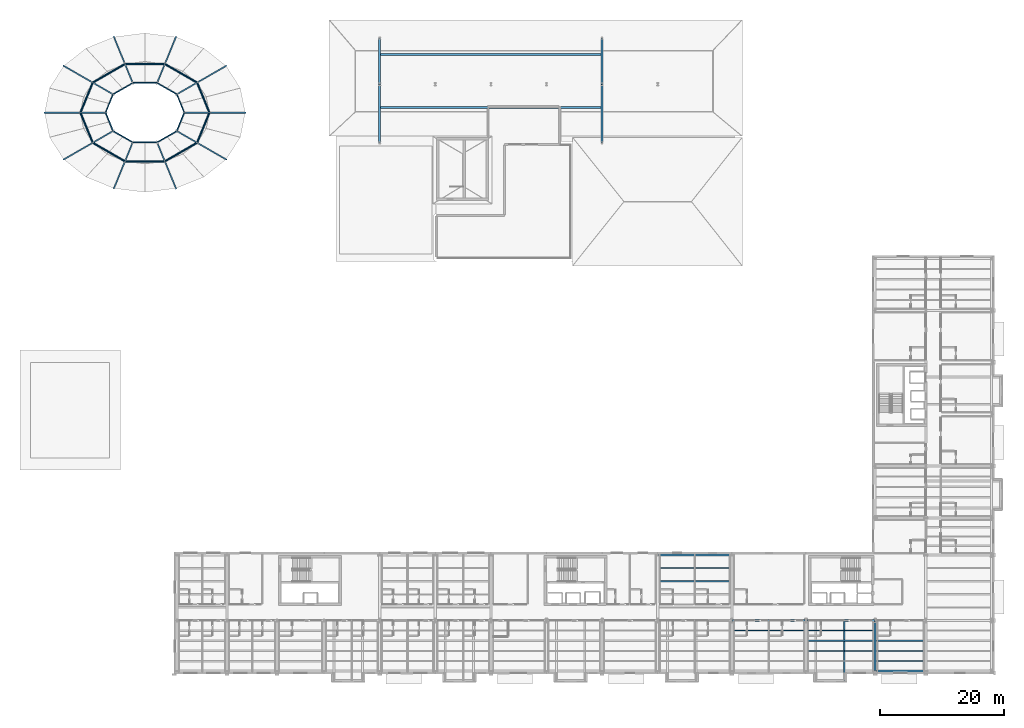
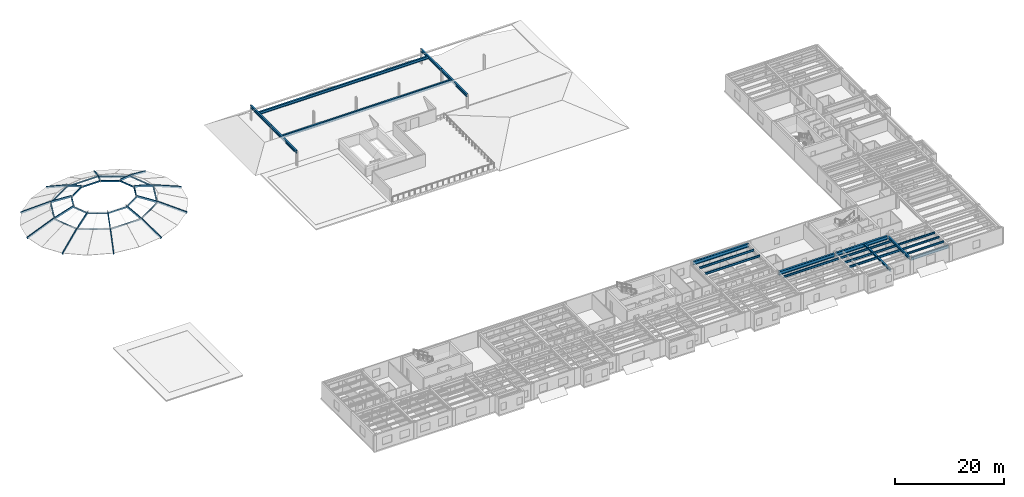
# One storey, part 8 of 34: 40 members, 21 beams.
"""IFC4 building model written with IfcOpenShell, lengths in metres."""

from ifc_helpers import new_model, si_unit, direction, frame, origin, origin_2d, place, context, subcontext, project, spatial, hollow_rectangle, hollow_circle, i_section, extrude, material, material_profile, profile_set, type_object, element, save


model = new_model("IFC4")

# Units and contexts
model_context = context("Model", 3, precision=1e-05, world=origin(), true_north=direction((0.0, 1.0)))
body_context = subcontext(model_context, "Body", "Model", "MODEL_VIEW")
ifc_project = project(units=[si_unit("LENGTHUNIT", "METRE"), si_unit("AREAUNIT", "SQUARE_METRE"), si_unit("VOLUMEUNIT", "CUBIC_METRE"), si_unit("PLANEANGLEUNIT", "RADIAN"), si_unit("MASSUNIT", "GRAM", prefix="KILO")], contexts=[model_context])

# Site, building, storey
site_placement = place(None, origin())
site = spatial("IfcSite", under=ifc_project, at=site_placement, CompositionType="ELEMENT")
building_placement = place(site_placement, origin())
building = spatial("IfcBuilding", under=site, at=building_placement, Name="Sollismere Congress Hotel", CompositionType="ELEMENT")
storey_placement = place(building_placement, frame((0.0, 0.0, 23.39990234375)))
storey = spatial("IfcBuildingStorey", under=building, at=storey_placement, Name="L05", CompositionType="ELEMENT", Elevation=23.39990234375)

# Beams
ifc_material_1 = material(Name="Steel ASTM A992 Grade 50", Category="steel")
ifc_material_profile_1 = material_profile(ifc_material_1, i_section(OverallWidth=0.281982421875, OverallDepth=0.471923828125, WebThickness=0.013671875, FlangeThickness=0.022216796875, at=origin_2d()), Name="W18X97")
ifc_profile_set_1 = profile_set([ifc_material_profile_1], Name="Steel ASTM A992 Grade 50")
beam_type_1 = type_object("IfcBeamType", Name="BM-CK18E", PredefinedType="BEAM", material=ifc_profile_set_1)
beam_1_placement = place(storey_placement, frame((142.199951171875, 8.199951171875, 3.089111328125), z_axis=(0.0, -1.0, 0.0), x_axis=(1.0, 0.0, 0.0)))
element("IfcBeam", 1, at=beam_1_placement, inside=storey, type_object=beam_type_1, Name="Beam BM-L05-3962", PredefinedType="BEAM", context=body_context, shape_type="SweptSolid", body=[
    extrude(i_section(OverallWidth=0.281982421875, OverallDepth=0.471923828125, WebThickness=0.013671875, FlangeThickness=0.022216796875, at=origin_2d()), origin(), (0.0, 0.0, 1.0), 9.68994140625),
])
ifc_material_profile_2 = material_profile(ifc_material_1, i_section(OverallWidth=0.31494140625, OverallDepth=0.551025390625, WebThickness=0.01513671875, FlangeThickness=0.0244140625, at=origin_2d()), Name="W21X122")
ifc_profile_set_2 = profile_set([ifc_material_profile_2], Name="Steel ASTM A992 Grade 50")
beam_type_2 = type_object("IfcBeamType", Name="BM-G21H", PredefinedType="BEAM", material=ifc_profile_set_2)
beam_2_placement = place(storey_placement, frame((147.199951171875, 0.139892578125, 3.049560546875), z_axis=(0.0, 1.0, 0.0), x_axis=(-1.0, 0.0, 0.0)))
element("IfcBeam", 2, at=beam_2_placement, inside=storey, type_object=beam_type_2, Name="Beam BM-L05-2993", PredefinedType="BEAM", context=body_context, shape_type="SweptSolid", body=[
    extrude(i_section(OverallWidth=0.31494140625, OverallDepth=0.551025390625, WebThickness=0.01513671875, FlangeThickness=0.0244140625, at=origin_2d()), origin(), (0.0, 0.0, 1.0), 7.920166015625),
])
ifc_material_profile_3 = material_profile(ifc_material_1, i_section(OverallWidth=0.330078125, OverallDepth=0.635009765625, WebThickness=0.017822265625, FlangeThickness=0.031005859375, at=origin_2d()), Name="W24X162")
ifc_profile_set_3 = profile_set([ifc_material_profile_3], Name="Steel ASTM A992 Grade 50")
beam_type_3 = type_object("IfcBeamType", Name="BM-G24H", PredefinedType="BEAM", material=ifc_profile_set_3)
beam_3_placement = place(storey_placement, frame((67.0, 85.60009765625, 3.08251953125), z_axis=(0.0, 1.0, 0.0), x_axis=(-1.0, 0.0, 0.0)))
element("IfcBeam", 3, at=beam_3_placement, inside=storey, type_object=beam_type_3, Name="Beam BM-L05-3869", PredefinedType="BEAM", context=body_context, shape_type="SweptSolid", body=[
    extrude(i_section(OverallWidth=0.330078125, OverallDepth=0.635009765625, WebThickness=0.017822265625, FlangeThickness=0.031005859375, at=origin_2d()), origin(), (0.0, 0.0, 1.0), 9.39990234375),
])
beam_4_placement = place(storey_placement, frame((67.0, 95.0, 3.08251953125), z_axis=(0.0, 1.0, 0.0), x_axis=(-1.0, 0.0, 0.0)))
element("IfcBeam", 4, at=beam_4_placement, inside=storey, type_object=beam_type_3, Name="Beam BM-L05-3870", PredefinedType="BEAM", context=body_context, shape_type="SweptSolid", body=[
    extrude(i_section(OverallWidth=0.330078125, OverallDepth=0.635009765625, WebThickness=0.017822265625, FlangeThickness=0.031005859375, at=origin_2d()), origin(), (0.0, 0.0, 1.0), 7.39990234375),
])
beam_5_placement = place(storey_placement, frame((103.0, 85.60009765625, 3.08251953125), z_axis=(0.0, 1.0, 0.0), x_axis=(-1.0, 0.0, 0.0)))
element("IfcBeam", 5, at=beam_5_placement, inside=storey, type_object=beam_type_3, Name="Beam BM-L05-3871", PredefinedType="BEAM", context=body_context, shape_type="SweptSolid", body=[
    extrude(i_section(OverallWidth=0.330078125, OverallDepth=0.635009765625, WebThickness=0.017822265625, FlangeThickness=0.031005859375, at=origin_2d()), origin(), (0.0, 0.0, 1.0), 9.39990234375),
])
beam_6_placement = place(storey_placement, frame((103.0, 95.0, 3.08251953125), z_axis=(0.0, 1.0, 0.0), x_axis=(-1.0, 0.0, 0.0)))
element("IfcBeam", 6, at=beam_6_placement, inside=storey, type_object=beam_type_3, Name="Beam BM-L05-3872", PredefinedType="BEAM", context=body_context, shape_type="SweptSolid", body=[
    extrude(i_section(OverallWidth=0.330078125, OverallDepth=0.635009765625, WebThickness=0.017822265625, FlangeThickness=0.031005859375, at=origin_2d()), origin(), (0.0, 0.0, 1.0), 7.39990234375),
])
for number, where, z_axis, x_axis, name in (
    (7, (67.0, 91.199951171875, 3.08251953125), (1.0, 0.0, 0.0), (0.0, 1.0, 0.0), "Beam BM-L05-3873"),
    (8, (67.0, 99.800048828125, 3.08251953125), (1.0, 0.0, 0.0), (0.0, 1.0, 0.0), "Beam BM-L05-3874"),
):
    element("IfcBeam", number, at=place(storey_placement, frame(where, z_axis=z_axis, x_axis=x_axis)), inside=storey, type_object=beam_type_3, Name=name, PredefinedType="BEAM", context=body_context, shape_type="SweptSolid", body=[
        extrude(i_section(OverallWidth=0.330078125, OverallDepth=0.635009765625, WebThickness=0.017822265625, FlangeThickness=0.031005859375, at=origin_2d()), origin(), (0.0, 0.0, 1.0), 36.0),
    ])
ifc_material_profile_4 = material_profile(ifc_material_1, i_section(OverallWidth=0.384033203125, OverallDepth=0.787109375, WebThickness=0.019775390625, FlangeThickness=0.033447265625, at=origin_2d()), Name="W30X211")
ifc_profile_set_4 = profile_set([ifc_material_profile_4], Name="Steel ASTM A992 Grade 50")
beam_type_4 = type_object("IfcBeamType", Name="BM-G30", PredefinedType="BEAM", material=ifc_profile_set_4)
beam_7_placement = place(storey_placement, frame((124.139892578125, 8.199951171875, 2.931640625), z_axis=(1.0, 0.0, 0.0), x_axis=(0.0, 1.0, 0.0)))
element("IfcBeam", 9, at=beam_7_placement, inside=storey, type_object=beam_type_4, Name="Beam BM-L05-2957", PredefinedType="BEAM", context=body_context, shape_type="SweptSolid", body=[
    extrude(i_section(OverallWidth=0.384033203125, OverallDepth=0.787109375, WebThickness=0.019775390625, FlangeThickness=0.033447265625, at=origin_2d()), origin(), (0.0, 0.0, 1.0), 11.72021484375),
])
beam_8_placement = place(storey_placement, frame((136.139892578125, 8.199951171875, 2.931640625), z_axis=(1.0, 0.0, 0.0), x_axis=(0.0, 1.0, 0.0)))
element("IfcBeam", 10, at=beam_8_placement, inside=storey, type_object=beam_type_4, Name="Beam BM-L05-2958", PredefinedType="BEAM", context=body_context, shape_type="SweptSolid", body=[
    extrude(i_section(OverallWidth=0.384033203125, OverallDepth=0.787109375, WebThickness=0.019775390625, FlangeThickness=0.033447265625, at=origin_2d()), origin(), (0.0, 0.0, 1.0), 10.920166015625),
])
beam_9_placement = place(storey_placement, frame((112.139892578125, 18.800048828125, 2.931640625), z_axis=(1.0, 0.0, 0.0), x_axis=(0.0, 1.0, 0.0)))
element("IfcBeam", 11, at=beam_9_placement, inside=storey, type_object=beam_type_4, Name="Beam BM-L05-2964", PredefinedType="BEAM", context=body_context, shape_type="SweptSolid", body=[
    extrude(i_section(OverallWidth=0.384033203125, OverallDepth=0.787109375, WebThickness=0.019775390625, FlangeThickness=0.033447265625, at=origin_2d()), origin(), (0.0, 0.0, 1.0), 11.72021484375),
])
ifc_material_profile_5 = material_profile(ifc_material_1, i_section(OverallWidth=0.180908203125, OverallDepth=0.4169921875, WebThickness=0.010986328125, FlangeThickness=0.018310546875, at=origin_2d()), Name="W16X57")
ifc_profile_set_5 = profile_set([ifc_material_profile_5], Name="Steel ASTM A992 Grade 50")
beam_type_5 = type_object("IfcBeamType", Name="BM-J16", PredefinedType="JOIST", material=ifc_profile_set_5)
for number, where, z_axis, x_axis, name in (
    (12, (147.357421875, 1.639892578125, 3.11669921875), (1.0, 0.0, 0.0), (0.0, 1.0, 0.0), "Beam BM-L05-3073"),
    (13, (147.357421875, 3.280029296875, 3.11669921875), (1.0, 0.0, 0.0), (0.0, 1.0, 0.0), "Beam BM-L05-3074"),
    (14, (147.357421875, 4.919921875, 3.11669921875), (1.0, 0.0, 0.0), (0.0, 1.0, 0.0), "Beam BM-L05-3075"),
):
    element("IfcBeam", number, at=place(storey_placement, frame(where, z_axis=z_axis, x_axis=x_axis)), inside=storey, type_object=beam_type_5, Name=name, PredefinedType="JOIST", context=body_context, shape_type="SweptSolid", body=[
        extrude(i_section(OverallWidth=0.180908203125, OverallDepth=0.4169921875, WebThickness=0.010986328125, FlangeThickness=0.018310546875, at=origin_2d()), origin(), (0.0, 0.0, 1.0), 7.885009765625),
    ])
ifc_material_profile_6 = material_profile(ifc_material_1, i_section(OverallWidth=0.193115234375, OverallDepth=0.467041015625, WebThickness=0.011474609375, FlangeThickness=0.01904296875, at=origin_2d()), Name="W18X65")
ifc_profile_set_6 = profile_set([ifc_material_profile_6], Name="Steel ASTM A992 Grade 50")
beam_type_6 = type_object("IfcBeamType", Name="BM-J18", PredefinedType="JOIST", material=ifc_profile_set_6)
for number, where, z_axis, x_axis, name in (
    (15, (112.177978515625, 14.56005859375, 3.091552734375), (1.0, 0.0, 0.0), (0.0, 1.0, 0.0), "Beam BM-L05-3063"),
    (16, (112.177978515625, 16.679931640625, 3.091552734375), (1.0, 0.0, 0.0), (0.0, 1.0, 0.0), "Beam BM-L05-3064"),
):
    element("IfcBeam", number, at=place(storey_placement, frame(where, z_axis=z_axis, x_axis=x_axis)), inside=storey, type_object=beam_type_6, Name=name, PredefinedType="JOIST", context=body_context, shape_type="SweptSolid", body=[
        extrude(i_section(OverallWidth=0.193115234375, OverallDepth=0.467041015625, WebThickness=0.011474609375, FlangeThickness=0.01904296875, at=origin_2d()), origin(), (0.0, 0.0, 1.0), 11.64404296875),
    ])
beam_10_placement = place(storey_placement, frame((124.157470703125, 6.56005859375, 3.091552734375), z_axis=(1.0, 0.0, 0.0), x_axis=(0.0, 1.0, 0.0)))
element("IfcBeam", 17, at=beam_10_placement, inside=storey, type_object=beam_type_6, Name="Beam BM-L05-3068", PredefinedType="JOIST", context=body_context, shape_type="SweptSolid", body=[
    extrude(i_section(OverallWidth=0.193115234375, OverallDepth=0.467041015625, WebThickness=0.011474609375, FlangeThickness=0.01904296875, at=origin_2d()), origin(), (0.0, 0.0, 1.0), 11.68505859375),
])
for number, where, z_axis, x_axis, name in (
    (18, (136.157470703125, 3.280029296875, 3.091552734375), (1.0, 0.0, 0.0), (0.0, 1.0, 0.0), "Beam BM-L05-3070"),
    (19, (136.157470703125, 4.919921875, 3.091552734375), (1.0, 0.0, 0.0), (0.0, 1.0, 0.0), "Beam BM-L05-3071"),
    (20, (136.157470703125, 6.56005859375, 3.091552734375), (1.0, 0.0, 0.0), (0.0, 1.0, 0.0), "Beam BM-L05-3072"),
):
    element("IfcBeam", number, at=place(storey_placement, frame(where, z_axis=z_axis, x_axis=x_axis)), inside=storey, type_object=beam_type_6, Name=name, PredefinedType="JOIST", context=body_context, shape_type="SweptSolid", body=[
        extrude(i_section(OverallWidth=0.193115234375, OverallDepth=0.467041015625, WebThickness=0.011474609375, FlangeThickness=0.01904296875, at=origin_2d()), origin(), (0.0, 0.0, 1.0), 10.885009765625),
    ])
ifc_material_profile_7 = material_profile(ifc_material_1, i_section(OverallWidth=0.330078125, OverallDepth=0.635009765625, WebThickness=0.017822265625, FlangeThickness=0.031005859375, at=origin_2d()), Name="W24X162")
ifc_profile_set_7 = profile_set([ifc_material_profile_7], Name="Steel ASTM A992 Grade 50")
beam_type_7 = type_object("IfcBeamType", Name="BM-SP24E", PredefinedType="SPANDREL", material=ifc_profile_set_7)
beam_11_placement = place(storey_placement, frame((147.340087890625, 0.0, 3.007568359375), z_axis=(1.0, 0.0, 0.0), x_axis=(0.0, 1.0, 0.0)))
element("IfcBeam", 21, at=beam_11_placement, inside=storey, type_object=beam_type_7, Name="Beam BM-L05-2945", PredefinedType="SPANDREL", context=body_context, shape_type="SweptSolid", body=[
    extrude(i_section(OverallWidth=0.330078125, OverallDepth=0.635009765625, WebThickness=0.017822265625, FlangeThickness=0.031005859375, at=origin_2d()), origin(), (0.0, 0.0, 1.0), 7.919921875),
])

# Members
ifc_material_2 = material(Name="Steel ASTM A500 Grade C", Category="steel")
ifc_material_profile_8 = material_profile(ifc_material_2, hollow_rectangle(XDim=0.199951171875, YDim=0.39990234375, WallThickness=0.011962890625, at=origin_2d()), Name="HSS400X200X12")
ifc_profile_set_8 = profile_set([ifc_material_profile_8], Name="Steel ASTM A500 Grade C")
member_type_1 = type_object("IfcMemberType", Name="MB-AR400", PredefinedType="COLLAR", material=ifc_profile_set_8)
member_1_placement = place(storey_placement, frame((45.2861328125, 90.39990234375, -0.09912109375), z_axis=(-0.924015433156, 0.0, 0.382355174267), x_axis=(0.0, -1.0, 0.0)))
element("IfcMember", 22, at=member_1_placement, inside=storey, type_object=member_type_1, Name="DR-013 arch rib", PredefinedType="COLLAR", context=body_context, shape_type="SweptSolid", body=[
    extrude(hollow_rectangle(XDim=0.199951171875, YDim=0.39990234375, WallThickness=0.011962890625, at=origin_2d()), origin(), (0.0, 0.0, 1.0), 6.376953125),
])
member_2_placement = place(storey_placement, frame((39.48779296875, 90.39990234375, 2.30517578125), z_axis=(-0.953744276341, 0.0, 0.300619120062), x_axis=(0.0, -1.0, 0.0)))
element("IfcMember", 23, at=member_2_placement, inside=storey, type_object=member_type_1, Name="DR-014 arch rib", PredefinedType="COLLAR", context=body_context, shape_type="SweptSolid", body=[
    extrude(hollow_rectangle(XDim=0.199951171875, YDim=0.39990234375, WallThickness=0.011962890625, at=origin_2d()), origin(), (0.0, 0.0, 1.0), 4.357177734375),
])
member_3_placement = place(storey_placement, frame((42.177978515625, 97.993408203125, -0.10009765625), z_axis=(-0.79214458142, -0.456463992834, 0.405151311701), x_axis=(0.499277188666, -0.866442317109, 0.0)))
element("IfcMember", 24, at=member_3_placement, inside=storey, type_object=member_type_1, Name="DR-023 arch rib", PredefinedType="COLLAR", context=body_context, shape_type="SweptSolid", body=[
    extrude(hollow_rectangle(XDim=0.199951171875, YDim=0.39990234375, WallThickness=0.011962890625, at=origin_2d()), origin(), (0.0, 0.0, 1.0), 6.0234375),
])
member_4_placement = place(storey_placement, frame((37.4873046875, 95.29052734375, 2.30419921875), z_axis=(-0.820916389004, -0.47302404837, 0.319913319399), x_axis=(0.499261848439, -0.866451156554, 0.0)))
element("IfcMember", 25, at=member_4_placement, inside=storey, type_object=member_type_1, Name="DR-024 arch rib", PredefinedType="COLLAR", context=body_context, shape_type="SweptSolid", body=[
    extrude(hollow_rectangle(XDim=0.199951171875, YDim=0.39990234375, WallThickness=0.011962890625, at=origin_2d()), origin(), (0.0, 0.0, 1.0), 4.10107421875),
])
member_5_placement = place(storey_placement, frame((34.035400390625, 102.69091796875, -0.1025390625), z_axis=(-0.338041257051, -0.825127977437, 0.452649897142), x_axis=(0.925354693376, -0.379102481458, 0.0)))
element("IfcMember", 26, at=member_5_placement, inside=storey, type_object=member_type_1, Name="DR-033 arch rib", PredefinedType="COLLAR", context=body_context, shape_type="SweptSolid", body=[
    extrude(hollow_rectangle(XDim=0.199951171875, YDim=0.39990234375, WallThickness=0.011962890625, at=origin_2d()), origin(), (0.0, 0.0, 1.0), 5.402099609375),
])
member_6_placement = place(storey_placement, frame((32.243896484375, 98.31787109375, 2.302001953125), z_axis=(-0.35359225752, -0.863035455191, 0.360752433817), x_axis=(0.925346818809, -0.379121701991, 0.0)))
element("IfcMember", 27, at=member_6_placement, inside=storey, type_object=member_type_1, Name="DR-034 arch rib", PredefinedType="COLLAR", context=body_context, shape_type="SweptSolid", body=[
    extrude(hollow_rectangle(XDim=0.199951171875, YDim=0.39990234375, WallThickness=0.011962890625, at=origin_2d()), origin(), (0.0, 0.0, 1.0), 3.6484375),
])
member_7_placement = place(storey_placement, frame((23.964599609375, 102.69091796875, -0.1025390625), z_axis=(0.338041257051, -0.825127977437, 0.452649897142), x_axis=(0.925354693376, 0.379102481458, 0.0)))
element("IfcMember", 28, at=member_7_placement, inside=storey, type_object=member_type_1, Name="DR-043 arch rib", PredefinedType="COLLAR", context=body_context, shape_type="SweptSolid", body=[
    extrude(hollow_rectangle(XDim=0.199951171875, YDim=0.39990234375, WallThickness=0.011962890625, at=origin_2d()), origin(), (0.0, 0.0, 1.0), 5.402099609375),
])
member_8_placement = place(storey_placement, frame((25.756103515625, 98.31787109375, 2.302001953125), z_axis=(0.35359225752, -0.863035455191, 0.360752433817), x_axis=(0.925346818809, 0.379121701991, 0.0)))
element("IfcMember", 29, at=member_8_placement, inside=storey, type_object=member_type_1, Name="DR-044 arch rib", PredefinedType="COLLAR", context=body_context, shape_type="SweptSolid", body=[
    extrude(hollow_rectangle(XDim=0.199951171875, YDim=0.39990234375, WallThickness=0.011962890625, at=origin_2d()), origin(), (0.0, 0.0, 1.0), 3.6484375),
])
member_9_placement = place(storey_placement, frame((15.822021484375, 97.993408203125, -0.10009765625), z_axis=(0.79214458142, -0.456463992834, 0.405151311701), x_axis=(0.499277188666, 0.866442317109, 0.0)))
element("IfcMember", 30, at=member_9_placement, inside=storey, type_object=member_type_1, Name="DR-053 arch rib", PredefinedType="COLLAR", context=body_context, shape_type="SweptSolid", body=[
    extrude(hollow_rectangle(XDim=0.199951171875, YDim=0.39990234375, WallThickness=0.011962890625, at=origin_2d()), origin(), (0.0, 0.0, 1.0), 6.0234375),
])
member_10_placement = place(storey_placement, frame((20.5126953125, 95.29052734375, 2.30419921875), z_axis=(0.820916389004, -0.47302404837, 0.319913319399), x_axis=(0.499261848439, 0.866451156554, 0.0)))
element("IfcMember", 31, at=member_10_placement, inside=storey, type_object=member_type_1, Name="DR-054 arch rib", PredefinedType="COLLAR", context=body_context, shape_type="SweptSolid", body=[
    extrude(hollow_rectangle(XDim=0.199951171875, YDim=0.39990234375, WallThickness=0.011962890625, at=origin_2d()), origin(), (0.0, 0.0, 1.0), 4.10107421875),
])
member_11_placement = place(storey_placement, frame((12.7138671875, 90.39990234375, -0.09912109375), z_axis=(0.924015433156, 0.0, 0.382355174267), x_axis=(0.0, 1.0, 0.0)))
element("IfcMember", 32, at=member_11_placement, inside=storey, type_object=member_type_1, Name="DR-063 arch rib", PredefinedType="COLLAR", context=body_context, shape_type="SweptSolid", body=[
    extrude(hollow_rectangle(XDim=0.199951171875, YDim=0.39990234375, WallThickness=0.011962890625, at=origin_2d()), origin(), (0.0, 0.0, 1.0), 6.376953125),
])
member_12_placement = place(storey_placement, frame((18.51220703125, 90.39990234375, 2.30517578125), z_axis=(0.953744276341, 0.0, 0.300619120062), x_axis=(0.0, 1.0, 0.0)))
element("IfcMember", 33, at=member_12_placement, inside=storey, type_object=member_type_1, Name="DR-064 arch rib", PredefinedType="COLLAR", context=body_context, shape_type="SweptSolid", body=[
    extrude(hollow_rectangle(XDim=0.199951171875, YDim=0.39990234375, WallThickness=0.011962890625, at=origin_2d()), origin(), (0.0, 0.0, 1.0), 4.357177734375),
])
member_13_placement = place(storey_placement, frame((15.822021484375, 82.806396484375, -0.10009765625), z_axis=(0.79214458142, 0.456463992834, 0.405151311701), x_axis=(-0.499277188666, 0.866442317109, 0.0)))
element("IfcMember", 34, at=member_13_placement, inside=storey, type_object=member_type_1, Name="DR-073 arch rib", PredefinedType="COLLAR", context=body_context, shape_type="SweptSolid", body=[
    extrude(hollow_rectangle(XDim=0.199951171875, YDim=0.39990234375, WallThickness=0.011962890625, at=origin_2d()), origin(), (0.0, 0.0, 1.0), 6.0234375),
])
member_14_placement = place(storey_placement, frame((20.5126953125, 85.509521484375, 2.30419921875), z_axis=(0.820916389004, 0.47302404837, 0.319913319399), x_axis=(-0.499261848439, 0.866451156554, 0.0)))
element("IfcMember", 35, at=member_14_placement, inside=storey, type_object=member_type_1, Name="DR-074 arch rib", PredefinedType="COLLAR", context=body_context, shape_type="SweptSolid", body=[
    extrude(hollow_rectangle(XDim=0.199951171875, YDim=0.39990234375, WallThickness=0.011962890625, at=origin_2d()), origin(), (0.0, 0.0, 1.0), 4.10107421875),
])
member_15_placement = place(storey_placement, frame((23.964599609375, 78.109130859375, -0.1025390625), z_axis=(0.338053862883, 0.825113552761, 0.452666776823), x_axis=(-0.925347408891, 0.379120261736, 0.0)))
element("IfcMember", 36, at=member_15_placement, inside=storey, type_object=member_type_1, Name="DR-083 arch rib", PredefinedType="COLLAR", context=body_context, shape_type="SweptSolid", body=[
    extrude(hollow_rectangle(XDim=0.199951171875, YDim=0.39990234375, WallThickness=0.011962890625, at=origin_2d()), origin(), (0.0, 0.0, 1.0), 5.402099609375),
])
member_16_placement = place(storey_placement, frame((25.756103515625, 82.482177734375, 2.302001953125), z_axis=(0.35359225752, 0.863035455191, 0.360752433817), x_axis=(-0.925346818809, 0.379121701991, 0.0)))
element("IfcMember", 37, at=member_16_placement, inside=storey, type_object=member_type_1, Name="DR-084 arch rib", PredefinedType="COLLAR", context=body_context, shape_type="SweptSolid", body=[
    extrude(hollow_rectangle(XDim=0.199951171875, YDim=0.39990234375, WallThickness=0.011962890625, at=origin_2d()), origin(), (0.0, 0.0, 1.0), 3.6484375),
])
member_17_placement = place(storey_placement, frame((34.035400390625, 78.109130859375, -0.1025390625), z_axis=(-0.338053862883, 0.825113552761, 0.452666776823), x_axis=(-0.925347408891, -0.379120261736, 0.0)))
element("IfcMember", 38, at=member_17_placement, inside=storey, type_object=member_type_1, Name="DR-093 arch rib", PredefinedType="COLLAR", context=body_context, shape_type="SweptSolid", body=[
    extrude(hollow_rectangle(XDim=0.199951171875, YDim=0.39990234375, WallThickness=0.011962890625, at=origin_2d()), origin(), (0.0, 0.0, 1.0), 5.402099609375),
])
member_18_placement = place(storey_placement, frame((32.243896484375, 82.482177734375, 2.302001953125), z_axis=(-0.35359225752, 0.863035455191, 0.360752433817), x_axis=(-0.925346818809, -0.379121701991, 0.0)))
element("IfcMember", 39, at=member_18_placement, inside=storey, type_object=member_type_1, Name="DR-094 arch rib", PredefinedType="COLLAR", context=body_context, shape_type="SweptSolid", body=[
    extrude(hollow_rectangle(XDim=0.199951171875, YDim=0.39990234375, WallThickness=0.011962890625, at=origin_2d()), origin(), (0.0, 0.0, 1.0), 3.6484375),
])
member_19_placement = place(storey_placement, frame((42.177978515625, 82.806396484375, -0.10009765625), z_axis=(-0.79214458142, 0.456463992834, 0.405151311701), x_axis=(-0.499277188666, -0.866442317109, 0.0)))
element("IfcMember", 40, at=member_19_placement, inside=storey, type_object=member_type_1, Name="DR-103 arch rib", PredefinedType="COLLAR", context=body_context, shape_type="SweptSolid", body=[
    extrude(hollow_rectangle(XDim=0.199951171875, YDim=0.39990234375, WallThickness=0.011962890625, at=origin_2d()), origin(), (0.0, 0.0, 1.0), 6.0234375),
])
member_20_placement = place(storey_placement, frame((37.4873046875, 85.509521484375, 2.30419921875), z_axis=(-0.820916389004, 0.47302404837, 0.319913319399), x_axis=(-0.499261848439, -0.866451156554, 0.0)))
element("IfcMember", 41, at=member_20_placement, inside=storey, type_object=member_type_1, Name="DR-104 arch rib", PredefinedType="COLLAR", context=body_context, shape_type="SweptSolid", body=[
    extrude(hollow_rectangle(XDim=0.199951171875, YDim=0.39990234375, WallThickness=0.011962890625, at=origin_2d()), origin(), (0.0, 0.0, 1.0), 4.10107421875),
])
ifc_material_profile_9 = material_profile(ifc_material_2, hollow_rectangle(XDim=0.14990234375, YDim=0.300048828125, WallThickness=0.010009765625, at=origin_2d()), Name="HSS300X150X10")
ifc_profile_set_9 = profile_set([ifc_material_profile_9], Name="Steel ASTM A500 Grade C")
member_type_2 = type_object("IfcMemberType", Name="MB-PR300", PredefinedType="PURLIN", material=ifc_profile_set_9)
member_21_placement = place(storey_placement, frame((35.3798828125, 90.39990234375, 3.380126953125), z_axis=(-0.379026175452, 0.925385951008, 0.0), x_axis=(-0.925385951008, -0.379026175452, 0.0)))
element("IfcMember", 42, at=member_21_placement, inside=storey, type_object=member_type_2, Name="DP-401 dome purlin", PredefinedType="PURLIN", context=body_context, shape_type="SweptSolid", body=[
    extrude(hollow_rectangle(XDim=0.14990234375, YDim=0.300048828125, WallThickness=0.010009765625, at=origin_2d()), origin(), (0.0, 0.0, 1.0), 3.214111328125),
])
member_22_placement = place(storey_placement, frame((34.16162109375, 93.374267578125, 3.380126953125), z_axis=(-0.86646253858, 0.499242094817, 0.0), x_axis=(-0.499242094817, -0.86646253858, 0.0)))
element("IfcMember", 43, at=member_22_placement, inside=storey, type_object=member_type_2, Name="DP-402 dome purlin", PredefinedType="PURLIN", context=body_context, shape_type="SweptSolid", body=[
    extrude(hollow_rectangle(XDim=0.14990234375, YDim=0.300048828125, WallThickness=0.010009765625, at=origin_2d()), origin(), (0.0, 0.0, 1.0), 3.681884765625),
])
member_23_placement = place(storey_placement, frame((30.971435546875, 95.21240234375, 3.380126953125), z_axis=(-1.0, 0.0, 0.0), x_axis=(0.0, -1.0, 0.0)))
element("IfcMember", 44, at=member_23_placement, inside=storey, type_object=member_type_2, Name="DP-403 dome purlin", PredefinedType="PURLIN", context=body_context, shape_type="SweptSolid", body=[
    extrude(hollow_rectangle(XDim=0.14990234375, YDim=0.300048828125, WallThickness=0.010009765625, at=origin_2d()), origin(), (0.0, 0.0, 1.0), 3.94287109375),
])
member_24_placement = place(storey_placement, frame((27.028564453125, 95.21240234375, 3.380126953125), z_axis=(-0.86646253858, -0.499242094817, 0.0), x_axis=(0.499242094817, -0.86646253858, 0.0)))
element("IfcMember", 45, at=member_24_placement, inside=storey, type_object=member_type_2, Name="DP-404 dome purlin", PredefinedType="PURLIN", context=body_context, shape_type="SweptSolid", body=[
    extrude(hollow_rectangle(XDim=0.14990234375, YDim=0.300048828125, WallThickness=0.010009765625, at=origin_2d()), origin(), (0.0, 0.0, 1.0), 3.681884765625),
])
member_25_placement = place(storey_placement, frame((23.83837890625, 93.374267578125, 3.380126953125), z_axis=(-0.379026175452, -0.925385951008, 0.0), x_axis=(0.925385951008, -0.379026175452, 0.0)))
element("IfcMember", 46, at=member_25_placement, inside=storey, type_object=member_type_2, Name="DP-405 dome purlin", PredefinedType="PURLIN", context=body_context, shape_type="SweptSolid", body=[
    extrude(hollow_rectangle(XDim=0.14990234375, YDim=0.300048828125, WallThickness=0.010009765625, at=origin_2d()), origin(), (0.0, 0.0, 1.0), 3.214111328125),
])
member_26_placement = place(storey_placement, frame((22.6201171875, 90.39990234375, 3.380126953125), z_axis=(0.379052818796, -0.925375037789, 0.0), x_axis=(0.925375037789, 0.379052818796, 0.0)))
element("IfcMember", 47, at=member_26_placement, inside=storey, type_object=member_type_2, Name="DP-406 dome purlin", PredefinedType="PURLIN", context=body_context, shape_type="SweptSolid", body=[
    extrude(hollow_rectangle(XDim=0.14990234375, YDim=0.300048828125, WallThickness=0.010009765625, at=origin_2d()), origin(), (0.0, 0.0, 1.0), 3.2138671875),
])
member_27_placement = place(storey_placement, frame((23.83837890625, 87.42578125, 3.380126953125), z_axis=(0.86646253858, -0.499242094817, 0.0), x_axis=(0.499242094817, 0.86646253858, 0.0)))
element("IfcMember", 48, at=member_27_placement, inside=storey, type_object=member_type_2, Name="DP-407 dome purlin", PredefinedType="PURLIN", context=body_context, shape_type="SweptSolid", body=[
    extrude(hollow_rectangle(XDim=0.14990234375, YDim=0.300048828125, WallThickness=0.010009765625, at=origin_2d()), origin(), (0.0, 0.0, 1.0), 3.681884765625),
])
member_28_placement = place(storey_placement, frame((27.028564453125, 85.587646484375, 3.380126953125), z_axis=(1.0, 0.0, 0.0), x_axis=(0.0, 1.0, 0.0)))
element("IfcMember", 49, at=member_28_placement, inside=storey, type_object=member_type_2, Name="DP-408 dome purlin", PredefinedType="PURLIN", context=body_context, shape_type="SweptSolid", body=[
    extrude(hollow_rectangle(XDim=0.14990234375, YDim=0.300048828125, WallThickness=0.010009765625, at=origin_2d()), origin(), (0.0, 0.0, 1.0), 3.94287109375),
])
member_29_placement = place(storey_placement, frame((30.971435546875, 85.587646484375, 3.380126953125), z_axis=(0.86646253858, 0.499242094817, 0.0), x_axis=(-0.499242094817, 0.86646253858, 0.0)))
element("IfcMember", 50, at=member_29_placement, inside=storey, type_object=member_type_2, Name="DP-409 dome purlin", PredefinedType="PURLIN", context=body_context, shape_type="SweptSolid", body=[
    extrude(hollow_rectangle(XDim=0.14990234375, YDim=0.300048828125, WallThickness=0.010009765625, at=origin_2d()), origin(), (0.0, 0.0, 1.0), 3.681884765625),
])
member_30_placement = place(storey_placement, frame((34.16162109375, 87.42578125, 3.380126953125), z_axis=(0.379052818796, 0.925375037789, 0.0), x_axis=(-0.925375037789, 0.379052818796, 0.0)))
element("IfcMember", 51, at=member_30_placement, inside=storey, type_object=member_type_2, Name="DP-410 dome purlin", PredefinedType="PURLIN", context=body_context, shape_type="SweptSolid", body=[
    extrude(hollow_rectangle(XDim=0.14990234375, YDim=0.300048828125, WallThickness=0.010009765625, at=origin_2d()), origin(), (0.0, 0.0, 1.0), 3.2138671875),
])
ifc_material_profile_10 = material_profile(ifc_material_2, hollow_circle(Radius=0.162109375, WallThickness=0.011962890625, at=origin_2d()), Name="CHS324X12")
ifc_profile_set_10 = profile_set([ifc_material_profile_10], Name="Steel ASTM A500 Grade C")
member_type_3 = type_object("IfcMemberType", Name="MB-PR324", PredefinedType="PURLIN", material=ifc_profile_set_10)
member_31_placement = place(storey_placement, frame((39.43994140625, 90.39990234375, 2.10009765625), z_axis=(-0.379100927089, 0.925355330173, 0.0), x_axis=(-0.925355330173, -0.379100927089, 0.0)))
element("IfcMember", 52, at=member_31_placement, inside=storey, type_object=member_type_3, Name="DP-301 dome purlin", PredefinedType="PURLIN", context=body_context, shape_type="SweptSolid", body=[
    extrude(hollow_circle(Radius=0.162109375, WallThickness=0.011962890625, at=origin_2d()), origin(), (0.0, 0.0, 1.0), 5.259521484375),
])
member_32_placement = place(storey_placement, frame((37.446044921875, 95.266845703125, 2.10009765625), z_axis=(-0.866451952344, 0.499260467372, 0.0), x_axis=(-0.499260467372, -0.866451952344, 0.0)))
element("IfcMember", 53, at=member_32_placement, inside=storey, type_object=member_type_3, Name="DP-302 dome purlin", PredefinedType="PURLIN", context=body_context, shape_type="SweptSolid", body=[
    extrude(hollow_circle(Radius=0.162109375, WallThickness=0.011962890625, at=origin_2d()), origin(), (0.0, 0.0, 1.0), 6.0244140625),
])
member_33_placement = place(storey_placement, frame((32.22607421875, 98.274658203125, 2.10009765625), z_axis=(-1.0, 0.0, 0.0), x_axis=(0.0, -1.0, 0.0)))
element("IfcMember", 54, at=member_33_placement, inside=storey, type_object=member_type_3, Name="DP-303 dome purlin", PredefinedType="PURLIN", context=body_context, shape_type="SweptSolid", body=[
    extrude(hollow_circle(Radius=0.162109375, WallThickness=0.011962890625, at=origin_2d()), origin(), (0.0, 0.0, 1.0), 6.4521484375),
])
member_34_placement = place(storey_placement, frame((25.77392578125, 98.274658203125, 2.10009765625), z_axis=(-0.866451952344, -0.499260467372, 0.0), x_axis=(0.499260467372, -0.866451952344, 0.0)))
element("IfcMember", 55, at=member_34_placement, inside=storey, type_object=member_type_3, Name="DP-304 dome purlin", PredefinedType="PURLIN", context=body_context, shape_type="SweptSolid", body=[
    extrude(hollow_circle(Radius=0.162109375, WallThickness=0.011962890625, at=origin_2d()), origin(), (0.0, 0.0, 1.0), 6.0244140625),
])
member_35_placement = place(storey_placement, frame((20.553955078125, 95.266845703125, 2.10009765625), z_axis=(-0.379100927089, -0.925355330173, 0.0), x_axis=(0.925355330173, -0.379100927089, 0.0)))
element("IfcMember", 56, at=member_35_placement, inside=storey, type_object=member_type_3, Name="DP-305 dome purlin", PredefinedType="PURLIN", context=body_context, shape_type="SweptSolid", body=[
    extrude(hollow_circle(Radius=0.162109375, WallThickness=0.011962890625, at=origin_2d()), origin(), (0.0, 0.0, 1.0), 5.259521484375),
])
member_36_placement = place(storey_placement, frame((18.56005859375, 90.39990234375, 2.10009765625), z_axis=(0.379117211527, -0.925348658574, 0.0), x_axis=(0.925348658574, 0.379117211527, 0.0)))
element("IfcMember", 57, at=member_36_placement, inside=storey, type_object=member_type_3, Name="DP-306 dome purlin", PredefinedType="PURLIN", context=body_context, shape_type="SweptSolid", body=[
    extrude(hollow_circle(Radius=0.162109375, WallThickness=0.011962890625, at=origin_2d()), origin(), (0.0, 0.0, 1.0), 5.25927734375),
])
member_37_placement = place(storey_placement, frame((20.553955078125, 85.533203125, 2.10009765625), z_axis=(0.866434421913, -0.499290889687, 0.0), x_axis=(0.499290889687, 0.866434421913, 0.0)))
element("IfcMember", 58, at=member_37_placement, inside=storey, type_object=member_type_3, Name="DP-307 dome purlin", PredefinedType="PURLIN", context=body_context, shape_type="SweptSolid", body=[
    extrude(hollow_circle(Radius=0.162109375, WallThickness=0.011962890625, at=origin_2d()), origin(), (0.0, 0.0, 1.0), 6.024658203125),
])
member_38_placement = place(storey_placement, frame((25.77392578125, 82.525146484375, 2.10009765625), z_axis=(1.0, 0.0, 0.0), x_axis=(0.0, 1.0, 0.0)))
element("IfcMember", 59, at=member_38_placement, inside=storey, type_object=member_type_3, Name="DP-308 dome purlin", PredefinedType="PURLIN", context=body_context, shape_type="SweptSolid", body=[
    extrude(hollow_circle(Radius=0.162109375, WallThickness=0.011962890625, at=origin_2d()), origin(), (0.0, 0.0, 1.0), 6.4521484375),
])
member_39_placement = place(storey_placement, frame((32.22607421875, 82.525146484375, 2.10009765625), z_axis=(0.866434421913, 0.499290889687, 0.0), x_axis=(-0.499290889687, 0.866434421913, 0.0)))
element("IfcMember", 60, at=member_39_placement, inside=storey, type_object=member_type_3, Name="DP-309 dome purlin", PredefinedType="PURLIN", context=body_context, shape_type="SweptSolid", body=[
    extrude(hollow_circle(Radius=0.162109375, WallThickness=0.011962890625, at=origin_2d()), origin(), (0.0, 0.0, 1.0), 6.024658203125),
])
member_40_placement = place(storey_placement, frame((37.446044921875, 85.533203125, 2.10009765625), z_axis=(0.379117211527, 0.925348658574, 0.0), x_axis=(-0.925348658574, 0.379117211527, 0.0)))
element("IfcMember", 61, at=member_40_placement, inside=storey, type_object=member_type_3, Name="DP-310 dome purlin", PredefinedType="PURLIN", context=body_context, shape_type="SweptSolid", body=[
    extrude(hollow_circle(Radius=0.162109375, WallThickness=0.011962890625, at=origin_2d()), origin(), (0.0, 0.0, 1.0), 5.25927734375),
])

save(model, "model.ifc")
